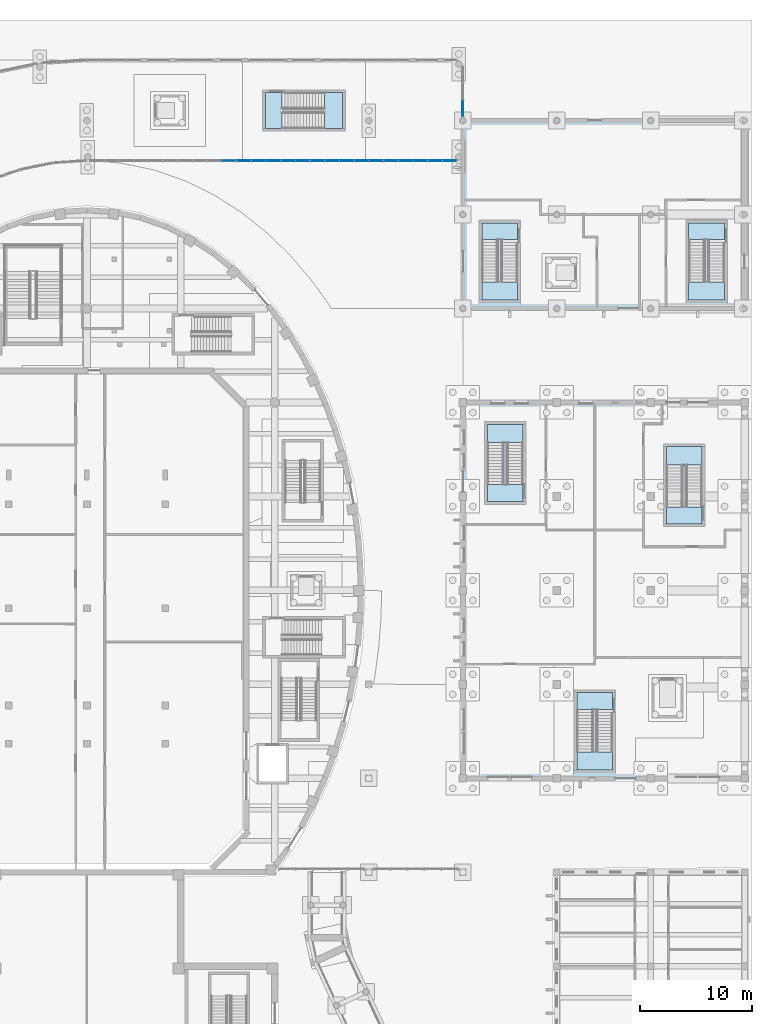
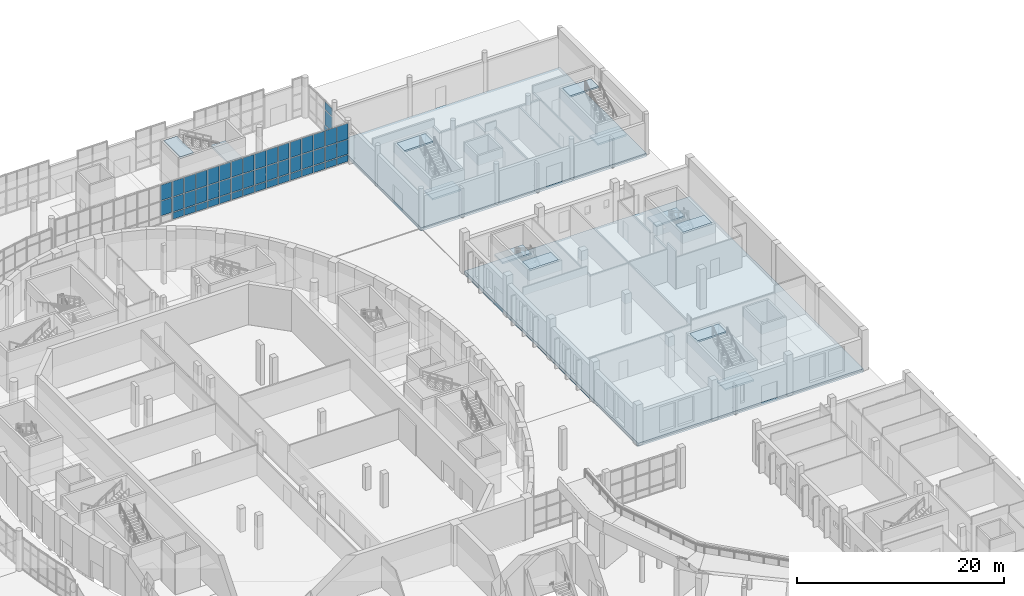
# One storey, part 50 of 110: 50 plates, 14 slabs, 11 elements without a shape of their own.
"""IFC4 building model written with IfcOpenShell, lengths in metres."""

import ifcopenshell
import ifcopenshell.guid

model = None  # the IFC model being written
_history = None  # IfcOwnerHistory: only IFC2X3 demands one
_inside = {}  # id of a spatial element -> (the spatial element, [elements in it])
_under = {}  # id of a project, library or spatial element -> (it, [spatial elements below it])
_declared = {}  # id of a project -> (the project, [libraries it declares])
_typed = {}  # id of a type object -> (the type object, [elements of that type])
_made_of = {}  # id of a material, layer set ... -> (it, [elements and type objects made of it])


def new_model(schema):
    """Start an empty IFC model of exactly this schema.

    Asked for "IFC4X3", IfcOpenShell would pick the latest addendum, in which some entities
    have other attributes; the version numbers below select the first issue.
    IFC2X3 requires an IfcOwnerHistory on every rooted entity: one is made here for all.
    """
    global model, _history
    if schema == "IFC4X3":
        model = ifcopenshell.file(schema_version=(4, 3, 0, 0))
    else:
        model = ifcopenshell.file(schema=schema)
    _inside.clear()
    _under.clear()
    _declared.clear()
    _typed.clear()
    _made_of.clear()
    _history = None
    if model.schema == "IFC2X3":
        org = make("IfcOrganization", Name="unknown")
        user = make(
            "IfcPersonAndOrganization",
            ThePerson=make("IfcPerson", FamilyName="unknown"),
            TheOrganization=org,
        )
        app = make(
            "IfcApplication",
            ApplicationDeveloper=org,
            Version="unknown",
            ApplicationFullName="unknown",
            ApplicationIdentifier="unknown",
        )
        _history = make(
            "IfcOwnerHistory",
            OwningUser=user,
            OwningApplication=app,
            ChangeAction="ADDED",
            CreationDate=0,
        )
    return model


def make(cls, **values):
    """One entity of the class cls with the attributes given. An attribute that is None is left unset."""
    return model.create_entity(
        cls, **{name: value for name, value in values.items() if value is not None}
    )


def rooted(cls, **values):
    """An entity with a GlobalId (a new one), such as an element, a storey or a relation."""
    return make(cls, GlobalId=ifcopenshell.guid.new(), OwnerHistory=_history, **values)


def si_unit(unit_type, name, prefix=None):
    """IfcSIUnit, for example si_unit("LENGTHUNIT", "METRE", prefix="MILLI")."""
    return make("IfcSIUnit", UnitType=unit_type, Prefix=prefix, Name=name)


def assignment(units):
    """IfcUnitAssignment: the units of a project."""
    return None if units is None else make("IfcUnitAssignment", Units=units)


def point(xyz):
    """IfcCartesianPoint."""
    return None if xyz is None else make("IfcCartesianPoint", Coordinates=xyz)


def direction(xyz):
    """IfcDirection."""
    return None if xyz is None else make("IfcDirection", DirectionRatios=xyz)


def frame(location, z_axis=None, x_axis=None):
    """IfcAxis2Placement3D, a coordinate frame: its origin and axes. An axis left out is left unset."""
    return make(
        "IfcAxis2Placement3D",
        Location=point(location),
        Axis=direction(z_axis),
        RefDirection=direction(x_axis),
    )


def frame_2d(location, x_axis=None):
    """IfcAxis2Placement2D, a coordinate frame in the plane: its origin and x axis."""
    return make(
        "IfcAxis2Placement2D", Location=point(location), RefDirection=direction(x_axis)
    )


def origin():
    """The frame at (0, 0, 0) with its axes left unset."""
    return frame((0.0, 0.0, 0.0))


def origin_2d():
    """The frame at (0, 0) in the plane with its x axis left unset."""
    return frame_2d((0.0, 0.0))


def place(relative_to, where):
    """IfcLocalPlacement: puts the frame where relative to a parent placement (None: the world)."""
    return make(
        "IfcLocalPlacement", PlacementRelTo=relative_to, RelativePlacement=where
    )


def context(
    kind, dimensions, precision=None, world=None, true_north=None, identifier=None
):
    """IfcGeometricRepresentationContext, for example the 3D "Model" context."""
    return make(
        "IfcGeometricRepresentationContext",
        ContextIdentifier=identifier,
        ContextType=kind,
        CoordinateSpaceDimension=dimensions,
        Precision=precision,
        WorldCoordinateSystem=world,
        TrueNorth=true_north,
    )


def subcontext(parent, identifier, kind, view, scale=None):
    """IfcGeometricRepresentationSubContext, for example "Body" below "Model"."""
    return make(
        "IfcGeometricRepresentationSubContext",
        ContextIdentifier=identifier,
        ContextType=kind,
        ParentContext=parent,
        TargetScale=scale,
        TargetView=view,
    )


def project(units=None, contexts=None):
    """IfcProject with its units and contexts."""
    return rooted(
        "IfcProject",
        Name="project",
        RepresentationContexts=contexts,
        UnitsInContext=assignment(units),
    )


def spatial(cls, under=None, at=None, **own):
    """A site, building, storey or space (cls), placed at a placement, below another one or the project."""
    s = rooted(cls, ObjectPlacement=at, **own)
    if under is not None:
        _under.setdefault(under.id(), (under, []))[1].append(s)
    return s


def polyline(points):
    """IfcPolyline through the points."""
    return make("IfcPolyline", Points=[point(p) for p in points])


def profile(cls, at=None, kind="AREA", **sizes):
    """A parametric profile (cls). Its sizes go by their IFC names, for example OverallWidth=200.0."""
    return make(cls, ProfileType=kind, Position=at, **sizes)


def rectangle(**sizes):
    """IfcRectangleProfileDef."""
    return profile("IfcRectangleProfileDef", **sizes)


def outline(outer, holes=None, kind="AREA"):
    """IfcArbitraryClosedProfileDef: a profile drawn as a closed curve; with holes, ...WithVoids."""
    if holes is None:
        return make("IfcArbitraryClosedProfileDef", ProfileType=kind, OuterCurve=outer)
    return make(
        "IfcArbitraryProfileDefWithVoids",
        ProfileType=kind,
        OuterCurve=outer,
        InnerCurves=holes,
    )


def extrude(swept, where, along, depth):
    """IfcExtrudedAreaSolid: the profile swept, set in the frame where, extruded along a direction by depth."""
    return make(
        "IfcExtrudedAreaSolid",
        SweptArea=swept,
        Position=where,
        ExtrudedDirection=direction(along),
        Depth=depth,
    )


def shape(context_of_items, identifier, shape_type, items):
    """IfcShapeRepresentation: the items that make up one representation, for example the "Body"."""
    return make(
        "IfcShapeRepresentation",
        ContextOfItems=context_of_items,
        RepresentationIdentifier=identifier,
        RepresentationType=shape_type,
        Items=items,
    )


def material(Name=None, Category=None):
    """IfcMaterial."""
    return make("IfcMaterial", Name=Name, Category=Category)


def layer(
    of_material, thickness, ventilated=None, Name=None, Category=None, Priority=None
):
    """IfcMaterialLayer: one layer of a wall or slab, of a material (None: an air gap)."""
    return make(
        "IfcMaterialLayer",
        Material=of_material,
        LayerThickness=thickness,
        IsVentilated=ventilated,
        Name=Name,
        Category=Category,
        Priority=Priority,
    )


def layer_set(layers, Name=None):
    """IfcMaterialLayerSet."""
    return make("IfcMaterialLayerSet", MaterialLayers=layers, LayerSetName=Name)


def made_of(thing, what):
    """Note that an element or type object is made of a material, layer set ...; save() writes the relation."""
    if what is not None:
        _made_of.setdefault(what.id(), (what, []))[1].append(thing)
    return thing


def type_object(cls, material=None, **own):
    """A type object (cls), such as IfcWallType, which elements share."""
    return made_of(rooted(cls, **own), material)


def element(
    cls,
    number,
    at=None,
    inside=None,
    cuts=None,
    type_object=None,
    material=None,
    context=None,
    identifier="Body",
    shape_type=None,
    held_by="IfcProductDefinitionShape",
    body=None,
    shapes=None,
    **own,
):
    """One element of the class cls, such as IfcWall. Its Tag is "e" and its number.

    at: its placement. inside: the storey or other place that contains it. cuts: it is an
    opening in that element (IfcRelVoidsElement). A single representation is given by context,
    identifier, shape_type and body (its items); several are given by shapes. held_by: the class
    of the entity that holds the representations. save() writes the other relations.
    """
    e = rooted(cls, Tag="e%d" % number, ObjectPlacement=at, **own)
    if body is not None:
        shapes = [shape(context, identifier, shape_type, body)]
    if shapes is not None:
        e.Representation = make(held_by, Representations=shapes)
    if inside is not None:
        _inside.setdefault(inside.id(), (inside, []))[1].append(e)
    if cuts is not None:
        rooted(
            "IfcRelVoidsElement", RelatingBuildingElement=cuts, RelatedOpeningElement=e
        )
    if type_object is not None:
        _typed.setdefault(type_object.id(), (type_object, []))[1].append(e)
    return made_of(e, material)


def aggregate(whole, parts):
    """IfcRelAggregates: a whole, such as a stair, and the parts it consists of."""
    return rooted("IfcRelAggregates", RelatingObject=whole, RelatedObjects=parts)


def save(model, path):
    """Write the relations noted so far, then the file.

    IfcRelAggregates (storeys below a building ...), IfcRelContainedInSpatialStructure (elements
    in a storey), IfcRelDefinesByType, IfcRelAssociatesMaterial and IfcRelDeclares: one each for
    every whole, place, type object, material and project.
    """
    for whole, parts in _under.values():
        aggregate(whole, parts)
    for where, things in _inside.values():
        rooted(
            "IfcRelContainedInSpatialStructure",
            RelatedElements=things,
            RelatingStructure=where,
        )
    for kind, things in _typed.values():
        rooted("IfcRelDefinesByType", RelatedObjects=things, RelatingType=kind)
    for what, things in _made_of.values():
        rooted("IfcRelAssociatesMaterial", RelatedObjects=things, RelatingMaterial=what)
    for by, libraries in _declared.values():
        rooted("IfcRelDeclares", RelatingContext=by, RelatedDefinitions=libraries)
    model.write(path)


model = new_model("IFC4")

# Units and contexts
model_context = context("Model", 3, precision=1e-05, world=origin(), true_north=direction((0.0, 1.0)))
body_context = subcontext(model_context, "Body", "Model", "MODEL_VIEW")
ifc_project = project(units=[si_unit("LENGTHUNIT", "METRE"), si_unit("AREAUNIT", "SQUARE_METRE"), si_unit("VOLUMEUNIT", "CUBIC_METRE"), si_unit("PLANEANGLEUNIT", "RADIAN"), si_unit("MASSUNIT", "GRAM", prefix="KILO")], contexts=[model_context])

# Site, building, storey
site_placement = place(None, origin())
site = spatial("IfcSite", under=ifc_project, at=site_placement, CompositionType="ELEMENT")
building_placement = place(site_placement, origin())
building = spatial("IfcBuilding", under=site, at=building_placement, Name="Larchfold Concert Hall", CompositionType="ELEMENT")
storey_placement = place(building_placement, origin())
storey = spatial("IfcBuildingStorey", under=building, at=storey_placement, Name="L00", CompositionType="ELEMENT", Elevation=0.0)

# Slabs
ifc_material_1 = material(Name="Concrete C35/45", Category="concrete")
ifc_layer_1 = layer(ifc_material_1, 0.39990234375)
ifc_layer_set_1 = layer_set([ifc_layer_1], Name="Concrete C35/45")
slab_type_1 = type_object("IfcSlabType", Name="Base slab 400", PredefinedType="BASESLAB", material=ifc_layer_set_1)
slab_1_placement = place(storey_placement, frame((0.0, 0.0, -0.400146484375)))
element("IfcSlab", 1, at=slab_1_placement, inside=storey, type_object=slab_type_1, Name="Slab S0003", PredefinedType="BASESLAB", context=body_context, shape_type="SweptSolid", body=[
    extrude(outline(polyline([(101.39990234375, 67.800048828125), (101.39990234375, 101.39990234375), (76.199951171875, 101.39990234375), (76.199951171875, 67.800048828125), (101.39990234375, 67.800048828125)])), origin(), (0.0, 0.0, 1.0), 0.400146484375),
])
slab_2_placement = place(storey_placement, frame((0.0, 0.0, -0.400146484375)))
element("IfcSlab", 2, at=slab_2_placement, inside=storey, type_object=slab_type_1, Name="Slab S0004", PredefinedType="BASESLAB", context=body_context, shape_type="SweptSolid", body=[
    extrude(outline(polyline([(101.39990234375, 109.800048828125), (101.39990234375, 126.60009765625), (76.199951171875, 126.60009765625), (76.199951171875, 109.800048828125), (101.39990234375, 109.800048828125)])), origin(), (0.0, 0.0, 1.0), 0.400146484375),
])

# Curtain wall, plates
ifc_material_2 = material(Name="Anodised graphite aluminium curtain wall", Category="aluminium")
ifc_layer_2 = layer(ifc_material_2, 0.14990234375)
ifc_layer_set_2 = layer_set([ifc_layer_2], Name="Anodised graphite aluminium curtain wall")
curtain_wall_type = type_object("IfcCurtainWallType", Name="Curtain wall WG", PredefinedType="NOTDEFINED", material=ifc_layer_set_2)
curtain_wall_1_placement = place(storey_placement, origin())
curtain_wall_1 = element("IfcCurtainWall", 3, at=curtain_wall_1_placement, inside=storey, type_object=curtain_wall_type, Name="Curtain wall CW0091", PredefinedType="NOTDEFINED")
ifc_material_3 = material(Name="Insulated glazing unit, glass", Category="glass")
ifc_layer_3 = layer(ifc_material_3, 0.028076171875)
ifc_layer_set_3 = layer_set([ifc_layer_3], Name="Insulated glazing unit, glass")
plate_type_1 = type_object("IfcPlateType", Name="Glass panel 28", PredefinedType="CURTAIN_PANEL", material=ifc_layer_set_3)
plate_1_placement = place(storey_placement, frame((55.309814453125, 123.0, 0.93994140625), z_axis=(0.0, 0.0, 1.0), x_axis=(1.0, 0.0, 0.0)))
plate_1 = element("IfcPlate", 4, at=plate_1_placement, type_object=plate_type_1, Name="CW0091 panel 5.2", PredefinedType="CURTAIN_PANEL", context=body_context, shape_type="SweptSolid", body=[
    extrude(rectangle(XDim=1.22412109375, YDim=0.028076171875, at=origin_2d()), origin(), (0.0, 0.0, 1.0), 1.719970703125),
])
plate_2_placement = place(storey_placement, frame((55.309814453125, 123.0, 2.740234375), z_axis=(0.0, 0.0, 1.0), x_axis=(1.0, 0.0, 0.0)))
plate_2 = element("IfcPlate", 5, at=plate_2_placement, type_object=plate_type_1, Name="CW0091 panel 5.3", PredefinedType="CURTAIN_PANEL", context=body_context, shape_type="SweptSolid", body=[
    extrude(rectangle(XDim=1.22412109375, YDim=0.028076171875, at=origin_2d()), origin(), (0.0, 0.0, 1.0), 1.829833984375),
])
aggregate(curtain_wall_1, [plate_1, plate_2])

curtain_wall_2_placement = place(storey_placement, origin())
curtain_wall_2 = element("IfcCurtainWall", 6, at=curtain_wall_2_placement, inside=storey, type_object=curtain_wall_type, Name="Curtain wall CW0092", PredefinedType="NOTDEFINED")
plate_3_placement = place(storey_placement, frame((56.654052734375, 123.0, 0.93994140625), z_axis=(0.0, 0.0, 1.0), x_axis=(1.0, 0.0, 0.0)))
plate_3 = element("IfcPlate", 7, at=plate_3_placement, type_object=plate_type_1, Name="CW0092 panel 1.2", PredefinedType="CURTAIN_PANEL", context=body_context, shape_type="SweptSolid", body=[
    extrude(rectangle(XDim=1.22412109375, YDim=0.028076171875, at=origin_2d()), origin(), (0.0, 0.0, 1.0), 1.719970703125),
])
plate_4_placement = place(storey_placement, frame((56.654052734375, 123.0, 2.740234375), z_axis=(0.0, 0.0, 1.0), x_axis=(1.0, 0.0, 0.0)))
plate_4 = element("IfcPlate", 8, at=plate_4_placement, type_object=plate_type_1, Name="CW0092 panel 1.3", PredefinedType="CURTAIN_PANEL", context=body_context, shape_type="SweptSolid", body=[
    extrude(rectangle(XDim=1.22412109375, YDim=0.028076171875, at=origin_2d()), origin(), (0.0, 0.0, 1.0), 1.829833984375),
])
plate_5_placement = place(storey_placement, frame((57.953125, 123.0, 0.93994140625), z_axis=(0.0, 0.0, 1.0), x_axis=(1.0, 0.0, 0.0)))
plate_5 = element("IfcPlate", 9, at=plate_5_placement, type_object=plate_type_1, Name="CW0092 panel 2.2", PredefinedType="CURTAIN_PANEL", context=body_context, shape_type="SweptSolid", body=[
    extrude(rectangle(XDim=1.254150390625, YDim=0.028076171875, at=origin_2d()), origin(), (0.0, 0.0, 1.0), 1.719970703125),
])
plate_6_placement = place(storey_placement, frame((57.953125, 123.0, 2.740234375), z_axis=(0.0, 0.0, 1.0), x_axis=(1.0, 0.0, 0.0)))
plate_6 = element("IfcPlate", 10, at=plate_6_placement, type_object=plate_type_1, Name="CW0092 panel 2.3", PredefinedType="CURTAIN_PANEL", context=body_context, shape_type="SweptSolid", body=[
    extrude(rectangle(XDim=1.254150390625, YDim=0.028076171875, at=origin_2d()), origin(), (0.0, 0.0, 1.0), 1.829833984375),
])
plate_7_placement = place(storey_placement, frame((59.26708984375, 123.0, 0.93994140625), z_axis=(0.0, 0.0, 1.0), x_axis=(1.0, 0.0, 0.0)))
plate_7 = element("IfcPlate", 11, at=plate_7_placement, type_object=plate_type_1, Name="CW0092 panel 3.2", PredefinedType="CURTAIN_PANEL", context=body_context, shape_type="SweptSolid", body=[
    extrude(rectangle(XDim=1.254150390625, YDim=0.028076171875, at=origin_2d()), origin(), (0.0, 0.0, 1.0), 1.719970703125),
])
plate_8_placement = place(storey_placement, frame((59.26708984375, 123.0, 2.740234375), z_axis=(0.0, 0.0, 1.0), x_axis=(1.0, 0.0, 0.0)))
plate_8 = element("IfcPlate", 12, at=plate_8_placement, type_object=plate_type_1, Name="CW0092 panel 3.3", PredefinedType="CURTAIN_PANEL", context=body_context, shape_type="SweptSolid", body=[
    extrude(rectangle(XDim=1.254150390625, YDim=0.028076171875, at=origin_2d()), origin(), (0.0, 0.0, 1.0), 1.829833984375),
])
plate_9_placement = place(storey_placement, frame((60.5810546875, 123.0, 0.93994140625), z_axis=(0.0, 0.0, 1.0), x_axis=(1.0, 0.0, 0.0)))
plate_9 = element("IfcPlate", 13, at=plate_9_placement, type_object=plate_type_1, Name="CW0092 panel 4.2", PredefinedType="CURTAIN_PANEL", context=body_context, shape_type="SweptSolid", body=[
    extrude(rectangle(XDim=1.254150390625, YDim=0.028076171875, at=origin_2d()), origin(), (0.0, 0.0, 1.0), 1.719970703125),
])
plate_10_placement = place(storey_placement, frame((60.5810546875, 123.0, 2.740234375), z_axis=(0.0, 0.0, 1.0), x_axis=(1.0, 0.0, 0.0)))
plate_10 = element("IfcPlate", 14, at=plate_10_placement, type_object=plate_type_1, Name="CW0092 panel 4.3", PredefinedType="CURTAIN_PANEL", context=body_context, shape_type="SweptSolid", body=[
    extrude(rectangle(XDim=1.254150390625, YDim=0.028076171875, at=origin_2d()), origin(), (0.0, 0.0, 1.0), 1.829833984375),
])
plate_11_placement = place(storey_placement, frame((61.880126953125, 123.0, 0.93994140625), z_axis=(0.0, 0.0, 1.0), x_axis=(1.0, 0.0, 0.0)))
plate_11 = element("IfcPlate", 15, at=plate_11_placement, type_object=plate_type_1, Name="CW0092 panel 5.2", PredefinedType="CURTAIN_PANEL", context=body_context, shape_type="SweptSolid", body=[
    extrude(rectangle(XDim=1.22412109375, YDim=0.028076171875, at=origin_2d()), origin(), (0.0, 0.0, 1.0), 1.719970703125),
])
plate_12_placement = place(storey_placement, frame((61.880126953125, 123.0, 2.740234375), z_axis=(0.0, 0.0, 1.0), x_axis=(1.0, 0.0, 0.0)))
plate_12 = element("IfcPlate", 16, at=plate_12_placement, type_object=plate_type_1, Name="CW0092 panel 5.3", PredefinedType="CURTAIN_PANEL", context=body_context, shape_type="SweptSolid", body=[
    extrude(rectangle(XDim=1.22412109375, YDim=0.028076171875, at=origin_2d()), origin(), (0.0, 0.0, 1.0), 1.829833984375),
])

curtain_wall_3_placement = place(storey_placement, origin())
curtain_wall_3 = element("IfcCurtainWall", 17, at=curtain_wall_3_placement, inside=storey, type_object=curtain_wall_type, Name="Curtain wall CW0093", PredefinedType="NOTDEFINED")
plate_13_placement = place(storey_placement, frame((63.224365234375, 123.0, 0.93994140625), z_axis=(0.0, 0.0, 1.0), x_axis=(1.0, 0.0, 0.0)))
plate_13 = element("IfcPlate", 18, at=plate_13_placement, type_object=plate_type_1, Name="CW0093 panel 1.2", PredefinedType="CURTAIN_PANEL", context=body_context, shape_type="SweptSolid", body=[
    extrude(rectangle(XDim=1.22412109375, YDim=0.028076171875, at=origin_2d()), origin(), (0.0, 0.0, 1.0), 1.719970703125),
])
plate_14_placement = place(storey_placement, frame((63.224365234375, 123.0, 2.740234375), z_axis=(0.0, 0.0, 1.0), x_axis=(1.0, 0.0, 0.0)))
plate_14 = element("IfcPlate", 19, at=plate_14_placement, type_object=plate_type_1, Name="CW0093 panel 1.3", PredefinedType="CURTAIN_PANEL", context=body_context, shape_type="SweptSolid", body=[
    extrude(rectangle(XDim=1.22412109375, YDim=0.028076171875, at=origin_2d()), origin(), (0.0, 0.0, 1.0), 1.829833984375),
])
plate_15_placement = place(storey_placement, frame((64.523193359375, 123.0, 0.93994140625), z_axis=(0.0, 0.0, 1.0), x_axis=(1.0, 0.0, 0.0)))
plate_15 = element("IfcPlate", 20, at=plate_15_placement, type_object=plate_type_1, Name="CW0093 panel 2.2", PredefinedType="CURTAIN_PANEL", context=body_context, shape_type="SweptSolid", body=[
    extrude(rectangle(XDim=1.25390625, YDim=0.028076171875, at=origin_2d()), origin(), (0.0, 0.0, 1.0), 1.719970703125),
])
plate_16_placement = place(storey_placement, frame((64.523193359375, 123.0, 2.740234375), z_axis=(0.0, 0.0, 1.0), x_axis=(1.0, 0.0, 0.0)))
plate_16 = element("IfcPlate", 21, at=plate_16_placement, type_object=plate_type_1, Name="CW0093 panel 2.3", PredefinedType="CURTAIN_PANEL", context=body_context, shape_type="SweptSolid", body=[
    extrude(rectangle(XDim=1.25390625, YDim=0.028076171875, at=origin_2d()), origin(), (0.0, 0.0, 1.0), 1.829833984375),
])
plate_17_placement = place(storey_placement, frame((65.837158203125, 123.0, 0.93994140625), z_axis=(0.0, 0.0, 1.0), x_axis=(1.0, 0.0, 0.0)))
plate_17 = element("IfcPlate", 22, at=plate_17_placement, type_object=plate_type_1, Name="CW0093 panel 3.2", PredefinedType="CURTAIN_PANEL", context=body_context, shape_type="SweptSolid", body=[
    extrude(rectangle(XDim=1.25390625, YDim=0.028076171875, at=origin_2d()), origin(), (0.0, 0.0, 1.0), 1.719970703125),
])
plate_18_placement = place(storey_placement, frame((65.837158203125, 123.0, 2.740234375), z_axis=(0.0, 0.0, 1.0), x_axis=(1.0, 0.0, 0.0)))
plate_18 = element("IfcPlate", 23, at=plate_18_placement, type_object=plate_type_1, Name="CW0093 panel 3.3", PredefinedType="CURTAIN_PANEL", context=body_context, shape_type="SweptSolid", body=[
    extrude(rectangle(XDim=1.25390625, YDim=0.028076171875, at=origin_2d()), origin(), (0.0, 0.0, 1.0), 1.829833984375),
])
plate_19_placement = place(storey_placement, frame((67.1513671875, 123.0, 0.93994140625), z_axis=(0.0, 0.0, 1.0), x_axis=(1.0, 0.0, 0.0)))
plate_19 = element("IfcPlate", 24, at=plate_19_placement, type_object=plate_type_1, Name="CW0093 panel 4.2", PredefinedType="CURTAIN_PANEL", context=body_context, shape_type="SweptSolid", body=[
    extrude(rectangle(XDim=1.25390625, YDim=0.028076171875, at=origin_2d()), origin(), (0.0, 0.0, 1.0), 1.719970703125),
])
plate_20_placement = place(storey_placement, frame((67.1513671875, 123.0, 2.740234375), z_axis=(0.0, 0.0, 1.0), x_axis=(1.0, 0.0, 0.0)))
plate_20 = element("IfcPlate", 25, at=plate_20_placement, type_object=plate_type_1, Name="CW0093 panel 4.3", PredefinedType="CURTAIN_PANEL", context=body_context, shape_type="SweptSolid", body=[
    extrude(rectangle(XDim=1.25390625, YDim=0.028076171875, at=origin_2d()), origin(), (0.0, 0.0, 1.0), 1.829833984375),
])
plate_21_placement = place(storey_placement, frame((68.4501953125, 123.0, 0.93994140625), z_axis=(0.0, 0.0, 1.0), x_axis=(1.0, 0.0, 0.0)))
plate_21 = element("IfcPlate", 26, at=plate_21_placement, type_object=plate_type_1, Name="CW0093 panel 5.2", PredefinedType="CURTAIN_PANEL", context=body_context, shape_type="SweptSolid", body=[
    extrude(rectangle(XDim=1.22412109375, YDim=0.028076171875, at=origin_2d()), origin(), (0.0, 0.0, 1.0), 1.719970703125),
])
plate_22_placement = place(storey_placement, frame((68.4501953125, 123.0, 2.740234375), z_axis=(0.0, 0.0, 1.0), x_axis=(1.0, 0.0, 0.0)))
plate_22 = element("IfcPlate", 27, at=plate_22_placement, type_object=plate_type_1, Name="CW0093 panel 5.3", PredefinedType="CURTAIN_PANEL", context=body_context, shape_type="SweptSolid", body=[
    extrude(rectangle(XDim=1.22412109375, YDim=0.028076171875, at=origin_2d()), origin(), (0.0, 0.0, 1.0), 1.829833984375),
])

curtain_wall_4_placement = place(storey_placement, origin())
curtain_wall_4 = element("IfcCurtainWall", 28, at=curtain_wall_4_placement, inside=storey, type_object=curtain_wall_type, Name="Curtain wall CW0094", PredefinedType="NOTDEFINED")
plate_23_placement = place(storey_placement, frame((69.79443359375, 123.0, 0.93994140625), z_axis=(0.0, 0.0, 1.0), x_axis=(1.0, 0.0, 0.0)))
plate_23 = element("IfcPlate", 29, at=plate_23_placement, type_object=plate_type_1, Name="CW0094 panel 1.2", PredefinedType="CURTAIN_PANEL", context=body_context, shape_type="SweptSolid", body=[
    extrude(rectangle(XDim=1.22412109375, YDim=0.028076171875, at=origin_2d()), origin(), (0.0, 0.0, 1.0), 1.719970703125),
])
plate_24_placement = place(storey_placement, frame((69.79443359375, 123.0, 2.740234375), z_axis=(0.0, 0.0, 1.0), x_axis=(1.0, 0.0, 0.0)))
plate_24 = element("IfcPlate", 30, at=plate_24_placement, type_object=plate_type_1, Name="CW0094 panel 1.3", PredefinedType="CURTAIN_PANEL", context=body_context, shape_type="SweptSolid", body=[
    extrude(rectangle(XDim=1.22412109375, YDim=0.028076171875, at=origin_2d()), origin(), (0.0, 0.0, 1.0), 1.829833984375),
])
plate_25_placement = place(storey_placement, frame((71.093505859375, 123.0, 0.93994140625), z_axis=(0.0, 0.0, 1.0), x_axis=(1.0, 0.0, 0.0)))
plate_25 = element("IfcPlate", 31, at=plate_25_placement, type_object=plate_type_1, Name="CW0094 panel 2.2", PredefinedType="CURTAIN_PANEL", context=body_context, shape_type="SweptSolid", body=[
    extrude(rectangle(XDim=1.254150390625, YDim=0.028076171875, at=origin_2d()), origin(), (0.0, 0.0, 1.0), 1.719970703125),
])
plate_26_placement = place(storey_placement, frame((71.093505859375, 123.0, 2.740234375), z_axis=(0.0, 0.0, 1.0), x_axis=(1.0, 0.0, 0.0)))
plate_26 = element("IfcPlate", 32, at=plate_26_placement, type_object=plate_type_1, Name="CW0094 panel 2.3", PredefinedType="CURTAIN_PANEL", context=body_context, shape_type="SweptSolid", body=[
    extrude(rectangle(XDim=1.254150390625, YDim=0.028076171875, at=origin_2d()), origin(), (0.0, 0.0, 1.0), 1.829833984375),
])
plate_27_placement = place(storey_placement, frame((72.407470703125, 123.0, 0.93994140625), z_axis=(0.0, 0.0, 1.0), x_axis=(1.0, 0.0, 0.0)))
plate_27 = element("IfcPlate", 33, at=plate_27_placement, type_object=plate_type_1, Name="CW0094 panel 3.2", PredefinedType="CURTAIN_PANEL", context=body_context, shape_type="SweptSolid", body=[
    extrude(rectangle(XDim=1.254150390625, YDim=0.028076171875, at=origin_2d()), origin(), (0.0, 0.0, 1.0), 1.719970703125),
])
plate_28_placement = place(storey_placement, frame((72.407470703125, 123.0, 2.740234375), z_axis=(0.0, 0.0, 1.0), x_axis=(1.0, 0.0, 0.0)))
plate_28 = element("IfcPlate", 34, at=plate_28_placement, type_object=plate_type_1, Name="CW0094 panel 3.3", PredefinedType="CURTAIN_PANEL", context=body_context, shape_type="SweptSolid", body=[
    extrude(rectangle(XDim=1.254150390625, YDim=0.028076171875, at=origin_2d()), origin(), (0.0, 0.0, 1.0), 1.829833984375),
])
plate_29_placement = place(storey_placement, frame((73.721435546875, 123.0, 0.93994140625), z_axis=(0.0, 0.0, 1.0), x_axis=(1.0, 0.0, 0.0)))
plate_29 = element("IfcPlate", 35, at=plate_29_placement, type_object=plate_type_1, Name="CW0094 panel 4.2", PredefinedType="CURTAIN_PANEL", context=body_context, shape_type="SweptSolid", body=[
    extrude(rectangle(XDim=1.254150390625, YDim=0.028076171875, at=origin_2d()), origin(), (0.0, 0.0, 1.0), 1.719970703125),
])
plate_30_placement = place(storey_placement, frame((73.721435546875, 123.0, 2.740234375), z_axis=(0.0, 0.0, 1.0), x_axis=(1.0, 0.0, 0.0)))
plate_30 = element("IfcPlate", 36, at=plate_30_placement, type_object=plate_type_1, Name="CW0094 panel 4.3", PredefinedType="CURTAIN_PANEL", context=body_context, shape_type="SweptSolid", body=[
    extrude(rectangle(XDim=1.254150390625, YDim=0.028076171875, at=origin_2d()), origin(), (0.0, 0.0, 1.0), 1.829833984375),
])
plate_31_placement = place(storey_placement, frame((75.0205078125, 123.0, 0.93994140625), z_axis=(0.0, 0.0, 1.0), x_axis=(1.0, 0.0, 0.0)))
plate_31 = element("IfcPlate", 37, at=plate_31_placement, type_object=plate_type_1, Name="CW0094 panel 5.2", PredefinedType="CURTAIN_PANEL", context=body_context, shape_type="SweptSolid", body=[
    extrude(rectangle(XDim=1.22412109375, YDim=0.028076171875, at=origin_2d()), origin(), (0.0, 0.0, 1.0), 1.719970703125),
])
plate_32_placement = place(storey_placement, frame((75.0205078125, 123.0, 2.740234375), z_axis=(0.0, 0.0, 1.0), x_axis=(1.0, 0.0, 0.0)))
plate_32 = element("IfcPlate", 38, at=plate_32_placement, type_object=plate_type_1, Name="CW0094 panel 5.3", PredefinedType="CURTAIN_PANEL", context=body_context, shape_type="SweptSolid", body=[
    extrude(rectangle(XDim=1.22412109375, YDim=0.028076171875, at=origin_2d()), origin(), (0.0, 0.0, 1.0), 1.829833984375),
])

curtain_wall_5_placement = place(storey_placement, origin())
curtain_wall_5 = element("IfcCurtainWall", 39, at=curtain_wall_5_placement, inside=storey, type_object=curtain_wall_type, Name="Curtain wall CW0095", PredefinedType="NOTDEFINED")
plate_33_placement = place(storey_placement, frame((76.199951171875, 127.71044921875, 0.93994140625), z_axis=(0.0, 0.0, 1.0), x_axis=(0.0, 1.0, 0.0)))
plate_33 = element("IfcPlate", 40, at=plate_33_placement, type_object=plate_type_1, Name="CW0095 panel 1.2", PredefinedType="CURTAIN_PANEL", context=body_context, shape_type="SweptSolid", body=[
    extrude(rectangle(XDim=1.4287109375, YDim=0.028076171875, at=origin_2d()), origin(), (0.0, 0.0, 1.0), 1.719970703125),
])
plate_34_placement = place(storey_placement, frame((76.199951171875, 127.71044921875, 2.740234375), z_axis=(0.0, 0.0, 1.0), x_axis=(0.0, 1.0, 0.0)))
plate_34 = element("IfcPlate", 41, at=plate_34_placement, type_object=plate_type_1, Name="CW0095 panel 1.3", PredefinedType="CURTAIN_PANEL", context=body_context, shape_type="SweptSolid", body=[
    extrude(rectangle(XDim=1.4287109375, YDim=0.028076171875, at=origin_2d()), origin(), (0.0, 0.0, 1.0), 0.929931640625),
])

# Plate
ifc_material_4 = material(Name="White insulated panel")
ifc_layer_4 = layer(ifc_material_4, 0.06005859375)
ifc_layer_set_4 = layer_set([ifc_layer_4], Name="White insulated panel")
plate_type_2 = type_object("IfcPlateType", Name="Insulated spandrel panel 60", PredefinedType="CURTAIN_PANEL", material=ifc_layer_set_4)
plate_35_placement = place(storey_placement, frame((56.654052734375, 123.0, 0.080078125), z_axis=(0.0, 0.0, 1.0), x_axis=(1.0, 0.0, 0.0)))
plate_35 = element("IfcPlate", 42, at=plate_35_placement, type_object=plate_type_2, Name="CW0092 panel 1.1", PredefinedType="CURTAIN_PANEL", context=body_context, shape_type="SweptSolid", body=[
    extrude(rectangle(XDim=1.22412109375, YDim=0.06005859375, at=origin_2d()), origin(), (0.0, 0.0, 1.0), 0.77978515625),
])

plate_36_placement = place(storey_placement, frame((57.953125, 123.0, 0.080078125), z_axis=(0.0, 0.0, 1.0), x_axis=(1.0, 0.0, 0.0)))
plate_36 = element("IfcPlate", 43, at=plate_36_placement, type_object=plate_type_2, Name="CW0092 panel 2.1", PredefinedType="CURTAIN_PANEL", context=body_context, shape_type="SweptSolid", body=[
    extrude(rectangle(XDim=1.254150390625, YDim=0.06005859375, at=origin_2d()), origin(), (0.0, 0.0, 1.0), 0.77978515625),
])

plate_37_placement = place(storey_placement, frame((59.26708984375, 123.0, 0.080078125), z_axis=(0.0, 0.0, 1.0), x_axis=(1.0, 0.0, 0.0)))
plate_37 = element("IfcPlate", 44, at=plate_37_placement, type_object=plate_type_2, Name="CW0092 panel 3.1", PredefinedType="CURTAIN_PANEL", context=body_context, shape_type="SweptSolid", body=[
    extrude(rectangle(XDim=1.254150390625, YDim=0.06005859375, at=origin_2d()), origin(), (0.0, 0.0, 1.0), 0.77978515625),
])

plate_38_placement = place(storey_placement, frame((60.5810546875, 123.0, 0.080078125), z_axis=(0.0, 0.0, 1.0), x_axis=(1.0, 0.0, 0.0)))
plate_38 = element("IfcPlate", 45, at=plate_38_placement, type_object=plate_type_2, Name="CW0092 panel 4.1", PredefinedType="CURTAIN_PANEL", context=body_context, shape_type="SweptSolid", body=[
    extrude(rectangle(XDim=1.254150390625, YDim=0.06005859375, at=origin_2d()), origin(), (0.0, 0.0, 1.0), 0.77978515625),
])

plate_39_placement = place(storey_placement, frame((61.880126953125, 123.0, 0.080078125), z_axis=(0.0, 0.0, 1.0), x_axis=(1.0, 0.0, 0.0)))
plate_39 = element("IfcPlate", 46, at=plate_39_placement, type_object=plate_type_2, Name="CW0092 panel 5.1", PredefinedType="CURTAIN_PANEL", context=body_context, shape_type="SweptSolid", body=[
    extrude(rectangle(XDim=1.22412109375, YDim=0.06005859375, at=origin_2d()), origin(), (0.0, 0.0, 1.0), 0.77978515625),
])

aggregate(curtain_wall_2, [plate_35, plate_3, plate_4, plate_36, plate_5, plate_6, plate_37, plate_7, plate_8, plate_38, plate_9, plate_10, plate_39, plate_11, plate_12])

plate_40_placement = place(storey_placement, frame((63.224365234375, 123.0, 0.080078125), z_axis=(0.0, 0.0, 1.0), x_axis=(1.0, 0.0, 0.0)))
plate_40 = element("IfcPlate", 47, at=plate_40_placement, type_object=plate_type_2, Name="CW0093 panel 1.1", PredefinedType="CURTAIN_PANEL", context=body_context, shape_type="SweptSolid", body=[
    extrude(rectangle(XDim=1.22412109375, YDim=0.06005859375, at=origin_2d()), origin(), (0.0, 0.0, 1.0), 0.77978515625),
])

plate_41_placement = place(storey_placement, frame((64.523193359375, 123.0, 0.080078125), z_axis=(0.0, 0.0, 1.0), x_axis=(1.0, 0.0, 0.0)))
plate_41 = element("IfcPlate", 48, at=plate_41_placement, type_object=plate_type_2, Name="CW0093 panel 2.1", PredefinedType="CURTAIN_PANEL", context=body_context, shape_type="SweptSolid", body=[
    extrude(rectangle(XDim=1.25390625, YDim=0.06005859375, at=origin_2d()), origin(), (0.0, 0.0, 1.0), 0.77978515625),
])

plate_42_placement = place(storey_placement, frame((65.837158203125, 123.0, 0.080078125), z_axis=(0.0, 0.0, 1.0), x_axis=(1.0, 0.0, 0.0)))
plate_42 = element("IfcPlate", 49, at=plate_42_placement, type_object=plate_type_2, Name="CW0093 panel 3.1", PredefinedType="CURTAIN_PANEL", context=body_context, shape_type="SweptSolid", body=[
    extrude(rectangle(XDim=1.25390625, YDim=0.06005859375, at=origin_2d()), origin(), (0.0, 0.0, 1.0), 0.77978515625),
])

plate_43_placement = place(storey_placement, frame((67.1513671875, 123.0, 0.080078125), z_axis=(0.0, 0.0, 1.0), x_axis=(1.0, 0.0, 0.0)))
plate_43 = element("IfcPlate", 50, at=plate_43_placement, type_object=plate_type_2, Name="CW0093 panel 4.1", PredefinedType="CURTAIN_PANEL", context=body_context, shape_type="SweptSolid", body=[
    extrude(rectangle(XDim=1.25390625, YDim=0.06005859375, at=origin_2d()), origin(), (0.0, 0.0, 1.0), 0.77978515625),
])

plate_44_placement = place(storey_placement, frame((68.4501953125, 123.0, 0.080078125), z_axis=(0.0, 0.0, 1.0), x_axis=(1.0, 0.0, 0.0)))
plate_44 = element("IfcPlate", 51, at=plate_44_placement, type_object=plate_type_2, Name="CW0093 panel 5.1", PredefinedType="CURTAIN_PANEL", context=body_context, shape_type="SweptSolid", body=[
    extrude(rectangle(XDim=1.22412109375, YDim=0.06005859375, at=origin_2d()), origin(), (0.0, 0.0, 1.0), 0.77978515625),
])

aggregate(curtain_wall_3, [plate_40, plate_13, plate_14, plate_41, plate_15, plate_16, plate_42, plate_17, plate_18, plate_43, plate_19, plate_20, plate_44, plate_21, plate_22])

plate_45_placement = place(storey_placement, frame((69.79443359375, 123.0, 0.080078125), z_axis=(0.0, 0.0, 1.0), x_axis=(1.0, 0.0, 0.0)))
plate_45 = element("IfcPlate", 52, at=plate_45_placement, type_object=plate_type_2, Name="CW0094 panel 1.1", PredefinedType="CURTAIN_PANEL", context=body_context, shape_type="SweptSolid", body=[
    extrude(rectangle(XDim=1.22412109375, YDim=0.06005859375, at=origin_2d()), origin(), (0.0, 0.0, 1.0), 0.77978515625),
])

plate_46_placement = place(storey_placement, frame((71.093505859375, 123.0, 0.080078125), z_axis=(0.0, 0.0, 1.0), x_axis=(1.0, 0.0, 0.0)))
plate_46 = element("IfcPlate", 53, at=plate_46_placement, type_object=plate_type_2, Name="CW0094 panel 2.1", PredefinedType="CURTAIN_PANEL", context=body_context, shape_type="SweptSolid", body=[
    extrude(rectangle(XDim=1.254150390625, YDim=0.06005859375, at=origin_2d()), origin(), (0.0, 0.0, 1.0), 0.77978515625),
])

plate_47_placement = place(storey_placement, frame((72.407470703125, 123.0, 0.080078125), z_axis=(0.0, 0.0, 1.0), x_axis=(1.0, 0.0, 0.0)))
plate_47 = element("IfcPlate", 54, at=plate_47_placement, type_object=plate_type_2, Name="CW0094 panel 3.1", PredefinedType="CURTAIN_PANEL", context=body_context, shape_type="SweptSolid", body=[
    extrude(rectangle(XDim=1.254150390625, YDim=0.06005859375, at=origin_2d()), origin(), (0.0, 0.0, 1.0), 0.77978515625),
])

plate_48_placement = place(storey_placement, frame((73.721435546875, 123.0, 0.080078125), z_axis=(0.0, 0.0, 1.0), x_axis=(1.0, 0.0, 0.0)))
plate_48 = element("IfcPlate", 55, at=plate_48_placement, type_object=plate_type_2, Name="CW0094 panel 4.1", PredefinedType="CURTAIN_PANEL", context=body_context, shape_type="SweptSolid", body=[
    extrude(rectangle(XDim=1.254150390625, YDim=0.06005859375, at=origin_2d()), origin(), (0.0, 0.0, 1.0), 0.77978515625),
])

plate_49_placement = place(storey_placement, frame((75.0205078125, 123.0, 0.080078125), z_axis=(0.0, 0.0, 1.0), x_axis=(1.0, 0.0, 0.0)))
plate_49 = element("IfcPlate", 56, at=plate_49_placement, type_object=plate_type_2, Name="CW0094 panel 5.1", PredefinedType="CURTAIN_PANEL", context=body_context, shape_type="SweptSolid", body=[
    extrude(rectangle(XDim=1.22412109375, YDim=0.06005859375, at=origin_2d()), origin(), (0.0, 0.0, 1.0), 0.77978515625),
])

aggregate(curtain_wall_4, [plate_45, plate_23, plate_24, plate_46, plate_25, plate_26, plate_47, plate_27, plate_28, plate_48, plate_29, plate_30, plate_49, plate_31, plate_32])

plate_50_placement = place(storey_placement, frame((76.199951171875, 127.71044921875, 0.080078125), z_axis=(0.0, 0.0, 1.0), x_axis=(0.0, 1.0, 0.0)))
plate_50 = element("IfcPlate", 57, at=plate_50_placement, type_object=plate_type_2, Name="CW0095 panel 1.1", PredefinedType="CURTAIN_PANEL", context=body_context, shape_type="SweptSolid", body=[
    extrude(rectangle(XDim=1.4287109375, YDim=0.06005859375, at=origin_2d()), origin(), (0.0, 0.0, 1.0), 0.77978515625),
])

aggregate(curtain_wall_5, [plate_50, plate_33, plate_34])

# Stair, slabs
ifc_material_5 = material(Name="Concrete C35/45", Category="concrete")
stair_type = type_object("IfcStairType", Name="Stair RC half-turn enclosed", PredefinedType="HALF_TURN_STAIR", material=ifc_material_5)
stair_1_placement = place(storey_placement, origin())
stair_1 = element("IfcStair", 58, at=stair_1_placement, inside=storey, type_object=stair_type, Name="Stair CH1", PredefinedType="HALF_TURN_STAIR")
ifc_material_6 = material(Name="Concrete C35/45", Category="concrete")
ifc_layer_5 = layer(ifc_material_6, 0.199951171875)
ifc_layer_set_5 = layer_set([ifc_layer_5], Name="Concrete C35/45")
slab_type_2 = type_object("IfcSlabType", Name="Stair landing RC 200", PredefinedType="LANDING", material=ifc_layer_set_5)
slab_3_placement = place(storey_placement, frame((0.0, 0.0, 2.199951171875)))
slab_3 = element("IfcSlab", 59, at=slab_3_placement, type_object=slab_type_2, Name="ST16 landing 1", PredefinedType="LANDING", context=body_context, shape_type="SweptSolid", body=[
    extrude(outline(polyline([(86.39990234375, 70.169921875), (86.39990234375, 68.550048828125), (89.599853515625, 68.550048828125), (89.599853515625, 70.169921875), (86.39990234375, 70.169921875)])), origin(), (0.0, 0.0, 1.0), 0.199951171875),
])
slab_4_placement = place(storey_placement, frame((0.0, 0.0, 4.60009765625)))
slab_4 = element("IfcSlab", 60, at=slab_4_placement, type_object=slab_type_2, Name="ST16 landing 2", PredefinedType="LANDING", context=body_context, shape_type="SweptSolid", body=[
    extrude(outline(polyline([(86.39990234375, 75.449951171875), (86.39990234375, 73.949951171875), (89.60009765625, 73.949951171875), (89.60009765625, 75.449951171875), (86.39990234375, 75.449951171875)])), origin(), (0.0, 0.0, 1.0), 0.199951171875),
])
aggregate(stair_1, [slab_3, slab_4])

stair_2_placement = place(storey_placement, origin())
stair_2 = element("IfcStair", 61, at=stair_2_placement, inside=storey, type_object=stair_type, Name="Stair CH2", PredefinedType="HALF_TURN_STAIR")
slab_5_placement = place(storey_placement, frame((0.0, 0.0, 2.199951171875)))
slab_5 = element("IfcSlab", 62, at=slab_5_placement, type_object=slab_type_2, Name="ST17 landing 1", PredefinedType="LANDING", context=body_context, shape_type="SweptSolid", body=[
    extrude(outline(polyline([(81.60009765625, 97.830078125), (81.60009765625, 99.449951171875), (78.400146484375, 99.449951171875), (78.400146484375, 97.830078125), (81.60009765625, 97.830078125)])), origin(), (0.0, 0.0, 1.0), 0.199951171875),
])
slab_6_placement = place(storey_placement, frame((0.0, 0.0, 4.60009765625)))
slab_6 = element("IfcSlab", 63, at=slab_6_placement, type_object=slab_type_2, Name="ST17 landing 2", PredefinedType="LANDING", context=body_context, shape_type="SweptSolid", body=[
    extrude(outline(polyline([(81.60009765625, 92.550048828125), (81.60009765625, 94.050048828125), (78.39990234375, 94.050048828125), (78.39990234375, 92.550048828125), (81.60009765625, 92.550048828125)])), origin(), (0.0, 0.0, 1.0), 0.199951171875),
])
aggregate(stair_2, [slab_5, slab_6])

stair_3_placement = place(storey_placement, origin())
stair_3 = element("IfcStair", 64, at=stair_3_placement, inside=storey, type_object=stair_type, Name="Stair CH3", PredefinedType="HALF_TURN_STAIR")
slab_7_placement = place(storey_placement, frame((0.0, 0.0, 2.199951171875)))
slab_7 = element("IfcSlab", 65, at=slab_7_placement, type_object=slab_type_2, Name="ST18 landing 1", PredefinedType="LANDING", context=body_context, shape_type="SweptSolid", body=[
    extrude(outline(polyline([(97.60009765625, 95.830078125), (97.60009765625, 97.449951171875), (94.400146484375, 97.449951171875), (94.400146484375, 95.830078125), (97.60009765625, 95.830078125)])), origin(), (0.0, 0.0, 1.0), 0.199951171875),
])
slab_8_placement = place(storey_placement, frame((0.0, 0.0, 4.60009765625)))
slab_8 = element("IfcSlab", 66, at=slab_8_placement, type_object=slab_type_2, Name="ST18 landing 2", PredefinedType="LANDING", context=body_context, shape_type="SweptSolid", body=[
    extrude(outline(polyline([(97.60009765625, 90.550048828125), (97.60009765625, 92.050048828125), (94.39990234375, 92.050048828125), (94.39990234375, 90.550048828125), (97.60009765625, 90.550048828125)])), origin(), (0.0, 0.0, 1.0), 0.199951171875),
])
aggregate(stair_3, [slab_7, slab_8])

stair_4_placement = place(storey_placement, origin())
stair_4 = element("IfcStair", 67, at=stair_4_placement, inside=storey, type_object=stair_type, Name="Stair RH1", PredefinedType="HALF_TURN_STAIR")
slab_9_placement = place(storey_placement, frame((0.0, 0.0, 2.199951171875)))
slab_9 = element("IfcSlab", 68, at=slab_9_placement, type_object=slab_type_2, Name="ST19 landing 1", PredefinedType="LANDING", context=body_context, shape_type="SweptSolid", body=[
    extrude(outline(polyline([(77.89990234375, 112.169921875), (77.89990234375, 110.550048828125), (81.099853515625, 110.550048828125), (81.099853515625, 112.169921875), (77.89990234375, 112.169921875)])), origin(), (0.0, 0.0, 1.0), 0.199951171875),
])
slab_10_placement = place(storey_placement, frame((0.0, 0.0, 4.60009765625)))
slab_10 = element("IfcSlab", 69, at=slab_10_placement, type_object=slab_type_2, Name="ST19 landing 2", PredefinedType="LANDING", context=body_context, shape_type="SweptSolid", body=[
    extrude(outline(polyline([(77.89990234375, 117.449951171875), (77.89990234375, 115.949951171875), (81.10009765625, 115.949951171875), (81.10009765625, 117.449951171875), (77.89990234375, 117.449951171875)])), origin(), (0.0, 0.0, 1.0), 0.199951171875),
])
aggregate(stair_4, [slab_9, slab_10])

stair_5_placement = place(storey_placement, origin())
stair_5 = element("IfcStair", 70, at=stair_5_placement, inside=storey, type_object=stair_type, Name="Stair RH2", PredefinedType="HALF_TURN_STAIR")
slab_11_placement = place(storey_placement, frame((0.0, 0.0, 2.199951171875)))
slab_11 = element("IfcSlab", 71, at=slab_11_placement, type_object=slab_type_2, Name="ST20 landing 1", PredefinedType="LANDING", context=body_context, shape_type="SweptSolid", body=[
    extrude(outline(polyline([(96.39990234375, 112.169921875), (96.39990234375, 110.550048828125), (99.599853515625, 110.550048828125), (99.599853515625, 112.169921875), (96.39990234375, 112.169921875)])), origin(), (0.0, 0.0, 1.0), 0.199951171875),
])
slab_12_placement = place(storey_placement, frame((0.0, 0.0, 4.60009765625)))
slab_12 = element("IfcSlab", 72, at=slab_12_placement, type_object=slab_type_2, Name="ST20 landing 2", PredefinedType="LANDING", context=body_context, shape_type="SweptSolid", body=[
    extrude(outline(polyline([(96.39990234375, 117.449951171875), (96.39990234375, 115.949951171875), (99.60009765625, 115.949951171875), (99.60009765625, 117.449951171875), (96.39990234375, 117.449951171875)])), origin(), (0.0, 0.0, 1.0), 0.199951171875),
])
aggregate(stair_5, [slab_11, slab_12])

stair_6_placement = place(storey_placement, origin())
stair_6 = element("IfcStair", 73, at=stair_6_placement, inside=storey, type_object=stair_type, Name="Stair WG4", PredefinedType="HALF_TURN_STAIR")
slab_13_placement = place(storey_placement, frame((0.0, 0.0, 2.199951171875)))
slab_13 = element("IfcSlab", 74, at=slab_13_placement, type_object=slab_type_2, Name="ST26 landing 1", PredefinedType="LANDING", context=body_context, shape_type="SweptSolid", body=[
    extrude(outline(polyline([(63.830078125, 125.89990234375), (65.449951171875, 125.89990234375), (65.449951171875, 129.099853515625), (63.830078125, 129.099853515625), (63.830078125, 125.89990234375)])), origin(), (0.0, 0.0, 1.0), 0.199951171875),
])
slab_14_placement = place(storey_placement, frame((0.0, 0.0, 4.60009765625)))
slab_14 = element("IfcSlab", 75, at=slab_14_placement, type_object=slab_type_2, Name="ST26 landing 2", PredefinedType="LANDING", context=body_context, shape_type="SweptSolid", body=[
    extrude(outline(polyline([(58.550048828125, 125.89990234375), (60.050048828125, 125.89990234375), (60.050048828125, 129.10009765625), (58.550048828125, 129.10009765625), (58.550048828125, 125.89990234375)])), origin(), (0.0, 0.0, 1.0), 0.199951171875),
])
aggregate(stair_6, [slab_13, slab_14])

save(model, "model.ifc")
